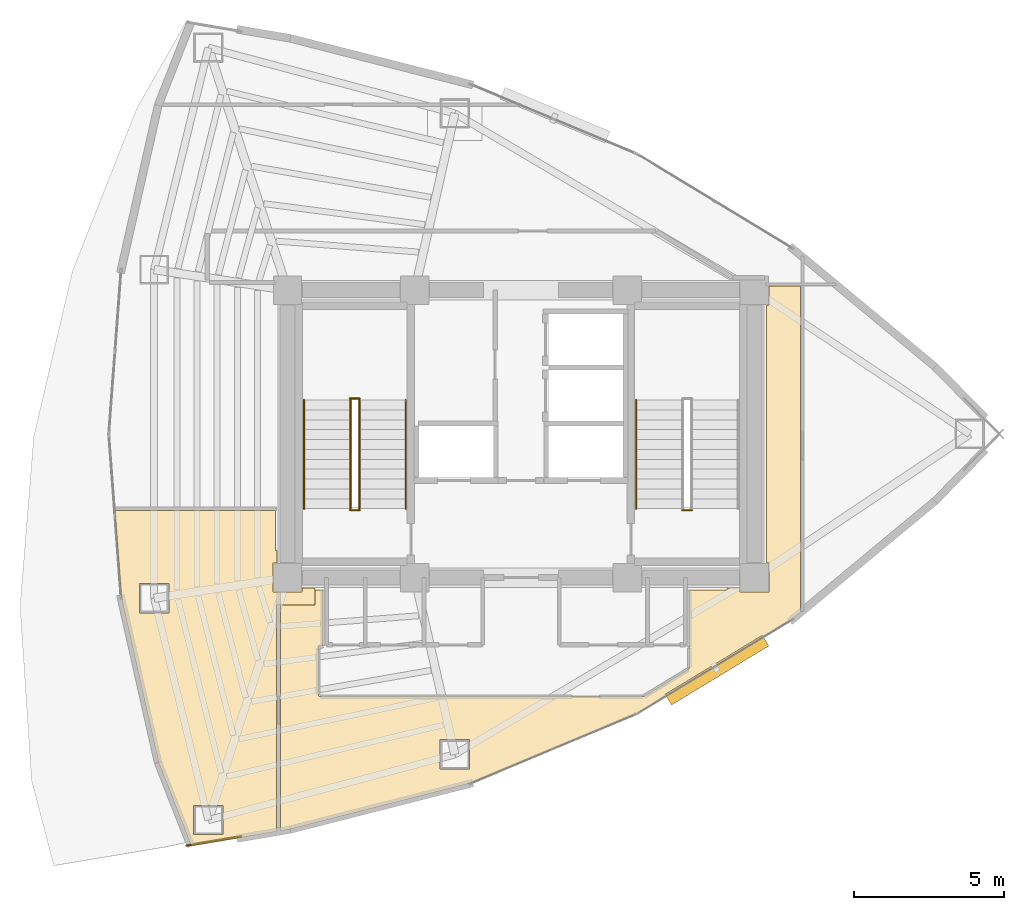
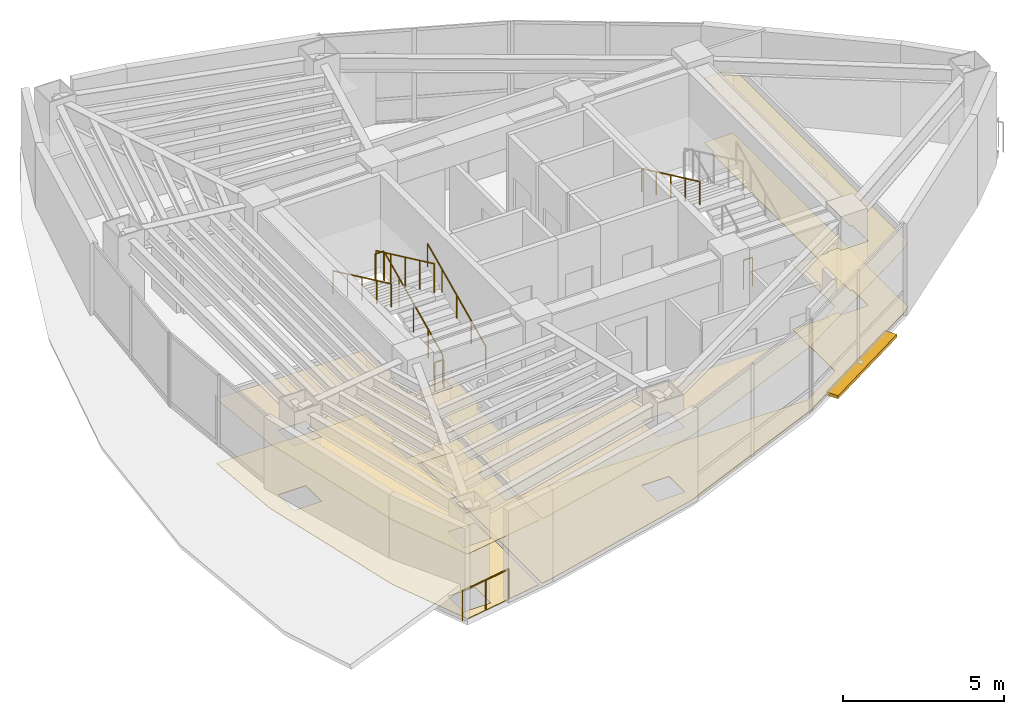
# One storey, part 14 of 15: 9 railings, 4 coverings, 1 shading device.
"""IFC4 building model written with IfcOpenShell, lengths in metres."""

from ifc_helpers import new_model, si_unit, direction, frame, origin, origin_2d, place, context, subcontext, project, spatial, polyline, rectangle, circle, outline, extrude, material, layer, layer_set, type_object, element, save


model = new_model("IFC4")

# Units and contexts
model_context = context("Model", 3, precision=1e-05, world=origin(), true_north=direction((0.0, 1.0)))
body_context = subcontext(model_context, "Body", "Model", "MODEL_VIEW")
ifc_project = project(units=[si_unit("LENGTHUNIT", "METRE"), si_unit("AREAUNIT", "SQUARE_METRE"), si_unit("VOLUMEUNIT", "CUBIC_METRE"), si_unit("PLANEANGLEUNIT", "RADIAN"), si_unit("MASSUNIT", "GRAM", prefix="KILO")], contexts=[model_context])

# Site, building, storey
site_placement = place(None, origin())
site = spatial("IfcSite", under=ifc_project, at=site_placement, CompositionType="ELEMENT")
building_placement = place(site_placement, origin())
building = spatial("IfcBuilding", under=site, at=building_placement, Name="Menara Vayukalpa", CompositionType="ELEMENT")
storey_placement = place(building_placement, frame((0.0, 0.0, 184.080078125)))
storey = spatial("IfcBuildingStorey", under=building, at=storey_placement, Name="L46", CompositionType="ELEMENT", Elevation=184.080078125)

# Coverings
ifc_material_1 = material(Name="Mineral Fibre Acoustic Ceiling Tile", Category="masonry")
ifc_layer_1 = layer(ifc_material_1, 0.02490234375)
ifc_layer_set_1 = layer_set([ifc_layer_1], Name="Mineral Fibre Acoustic Ceiling Tile")
covering_type_1 = type_object("IfcCoveringType", Name="COV-CLG1", PredefinedType="CEILING", material=ifc_layer_set_1)
covering_1_placement = place(storey_placement, frame((0.0, 0.0, 2.449951171875)))
element("IfcCovering", 1, at=covering_1_placement, inside=storey, type_object=covering_type_1, Name="L46 Staff Dining and Pantry Acoustic Ceiling", PredefinedType="CEILING", context=body_context, shape_type="SweptSolid", body=[
    extrude(outline(polyline([(14.59130859375, 8.2314453125), (14.59033203125, 8.2314453125), (14.58935546875, 8.231689453125), (14.58837890625, 8.232177734375), (14.587646484375, 8.232666015625), (14.5869140625, 8.233154296875), (14.5859375, 8.233642578125), (14.585205078125, 8.234375), (14.584716796875, 8.235107421875), (14.583984375, 8.23583984375), (14.58349609375, 8.23681640625), (14.583251953125, 8.237548828125), (13.489013671875, 11.023681640625), (13.48876953125, 11.0244140625), (13.488525390625, 11.025146484375), (12.25390625, 16.51171875), (12.25390625, 16.51318359375), (12.03515625, 19.42919921875), (12.03515625, 19.43017578125), (12.03515625, 19.43115234375), (12.035400390625, 19.43212890625), (12.03564453125, 19.43310546875), (12.035888671875, 19.43408203125), (12.036376953125, 19.434814453125), (12.036865234375, 19.435791015625), (12.037353515625, 19.436279296875), (12.0380859375, 19.43701171875), (12.038818359375, 19.437744140625), (12.03955078125, 19.4384765625), (12.040283203125, 19.43896484375), (12.041259765625, 19.439208984375), (12.042236328125, 19.439697265625), (12.043212890625, 19.439697265625), (12.044189453125, 19.43994140625), (12.045166015625, 19.43994140625), (17.3798828125, 19.43994140625), (17.381103515625, 19.43994140625), (17.382080078125, 19.439697265625), (17.3828125, 19.439697265625), (17.3837890625, 19.439208984375), (17.384765625, 19.438720703125), (17.385498046875, 19.438232421875), (17.38623046875, 19.437744140625), (17.38720703125, 19.43701171875), (17.3876953125, 19.436279296875), (17.38818359375, 19.435546875), (17.388916015625, 19.434814453125), (17.38916015625, 19.433837890625), (17.3896484375, 19.432861328125), (17.389892578125, 19.431884765625), (17.389892578125, 19.430908203125), (17.389892578125, 19.429931640625), (17.389892578125, 18.110107421875), (17.449951171875, 18.110107421875), (17.449951171875, 17.68994140625), (17.31005859375, 17.68994140625), (17.31005859375, 16.7099609375), (18.2900390625, 16.7099609375), (18.2900390625, 16.85009765625), (18.7099609375, 16.85009765625), (18.7099609375, 16.2900390625), (17.43994140625, 16.2900390625), (17.43994140625, 8.722900390625), (17.43994140625, 8.721923828125), (17.439697265625, 8.720947265625), (17.439697265625, 8.719970703125), (17.439208984375, 8.718994140625), (17.438720703125, 8.71826171875), (17.438232421875, 8.71728515625), (17.4375, 8.716552734375), (17.43701171875, 8.7158203125), (17.436279296875, 8.715087890625), (17.435302734375, 8.714599609375), (17.4345703125, 8.714111328125), (17.43359375, 8.713623046875), (17.4326171875, 8.71337890625), (17.431640625, 8.713134765625), (14.59423828125, 8.2314453125), (14.59326171875, 8.231201171875), (14.59228515625, 8.231201171875), (14.59130859375, 8.2314453125)]), holes=[polyline([(14.664794921875, 9.58740234375), (14.664794921875, 8.607421875), (15.644775390625, 8.607421875), (15.644775390625, 9.58740234375), (14.664794921875, 9.58740234375)]), polyline([(13.833984375, 17.000732421875), (12.85400390625, 17.000732421875), (12.85400390625, 16.020751953125), (13.833984375, 16.020751953125), (13.833984375, 17.000732421875)])]), origin(), (0.0, 0.0, 1.0), 0.02490234375),
])
covering_2_placement = place(storey_placement, frame((0.0, 0.0, 2.449951171875)))
element("IfcCovering", 2, at=covering_2_placement, inside=storey, type_object=covering_type_1, Name="L46 Staff Dining and Pantry Acoustic Ceiling", PredefinedType="CEILING", context=body_context, shape_type="SweptSolid", body=[
    extrude(outline(polyline([(33.81005859375, 26.31005859375), (33.889892578125, 26.31005859375), (33.889892578125, 26.93994140625), (34.929931640625, 26.93994140625), (34.930908203125, 26.93994140625), (34.931884765625, 26.939697265625), (34.932861328125, 26.939697265625), (34.933837890625, 26.939208984375), (34.934814453125, 26.938720703125), (34.935546875, 26.938232421875), (34.936279296875, 26.937744140625), (34.93701171875, 26.93701171875), (34.937744140625, 26.936279296875), (34.938232421875, 26.935546875), (34.938720703125, 26.934814453125), (34.939208984375, 26.933837890625), (34.939697265625, 26.932861328125), (34.939697265625, 26.931884765625), (34.93994140625, 26.930908203125), (34.93994140625, 26.929931640625), (34.93994140625, 16.063720703125), (34.940185546875, 16.0576171875), (34.941162109375, 16.052001953125), (34.94189453125, 16.048828125), (34.942138671875, 16.0478515625), (34.942138671875, 16.046875), (34.942138671875, 16.0458984375), (34.942138671875, 16.044921875), (34.94189453125, 16.043701171875), (34.94140625, 16.042724609375), (34.941162109375, 16.0419921875), (34.940673828125, 16.041015625), (34.93994140625, 16.040283203125), (34.939208984375, 16.039306640625), (34.938720703125, 16.038818359375), (34.662109375, 15.809326171875), (34.660888671875, 15.80859375), (29.47998046875, 12.661376953125), (29.479248046875, 12.660888671875), (29.478515625, 12.66064453125), (23.885986328125, 10.3212890625), (23.884765625, 10.32080078125), (17.8798828125, 8.789306640625), (17.879150390625, 8.7890625), (17.57177734375, 8.73681640625), (17.57080078125, 8.73681640625), (17.569580078125, 8.73681640625), (17.56884765625, 8.73681640625), (17.56787109375, 8.737060546875), (17.56689453125, 8.7373046875), (17.56591796875, 8.737548828125), (17.565185546875, 8.738037109375), (17.564208984375, 8.738525390625), (17.5634765625, 8.7392578125), (17.562744140625, 8.73974609375), (17.562255859375, 8.740478515625), (17.5615234375, 8.7412109375), (17.56103515625, 8.7421875), (17.560791015625, 8.742919921875), (17.560302734375, 8.743896484375), (17.560302734375, 8.744873046875), (17.56005859375, 8.745849609375), (17.56005859375, 8.746826171875), (17.56005859375, 16.2900390625), (16.889892578125, 16.2900390625), (16.889892578125, 18.110107421875), (17.449951171875, 18.110107421875), (17.449951171875, 17.68994140625), (17.31005859375, 17.68994140625), (17.31005859375, 16.7099609375), (18.2900390625, 16.7099609375), (18.2900390625, 16.85009765625), (18.7099609375, 16.85009765625), (18.7099609375, 16.7900390625), (18.97998046875, 16.7900390625), (18.98095703125, 16.7900390625), (18.98193359375, 16.789794921875), (18.98291015625, 16.78955078125), (18.98388671875, 16.789306640625), (18.984619140625, 16.788818359375), (18.985595703125, 16.788330078125), (18.986328125, 16.78759765625), (18.987060546875, 16.787109375), (18.98779296875, 16.786376953125), (18.98828125, 16.78564453125), (18.98876953125, 16.78466796875), (18.9892578125, 16.78369140625), (18.989501953125, 16.782958984375), (18.98974609375, 16.781982421875), (18.989990234375, 16.781005859375), (18.989990234375, 16.780029296875), (18.989990234375, 14.929931640625), (18.989990234375, 14.928955078125), (18.98974609375, 14.927978515625), (18.989501953125, 14.927001953125), (18.9892578125, 14.92626953125), (18.98876953125, 14.92529296875), (18.98828125, 14.92431640625), (18.98779296875, 14.923583984375), (18.987060546875, 14.9228515625), (18.986328125, 14.92236328125), (18.985595703125, 14.921630859375), (18.984619140625, 14.921142578125), (18.98388671875, 14.9208984375), (18.98291015625, 14.92041015625), (18.98193359375, 14.920166015625), (18.98095703125, 14.919921875), (18.97998046875, 14.919921875), (18.900390625, 14.919921875), (18.893310546875, 14.919677734375), (18.88623046875, 14.918701171875), (18.879638671875, 14.9169921875), (18.873291015625, 14.914794921875), (18.866943359375, 14.911865234375), (18.861083984375, 14.908203125), (18.85546875, 14.904052734375), (18.8505859375, 14.8994140625), (18.845947265625, 14.89453125), (18.841796875, 14.888916015625), (18.838134765625, 14.883056640625), (18.835205078125, 14.876708984375), (18.8330078125, 14.870361328125), (18.831298828125, 14.86376953125), (18.830322265625, 14.856689453125), (18.830078125, 14.849609375), (18.830078125, 13.290283203125), (18.830322265625, 13.283203125), (18.831298828125, 13.2763671875), (18.8330078125, 13.269775390625), (18.835205078125, 13.26318359375), (18.838134765625, 13.257080078125), (18.841796875, 13.251220703125), (18.845947265625, 13.24560546875), (18.8505859375, 13.240478515625), (18.85546875, 13.236083984375), (18.861083984375, 13.231689453125), (18.866943359375, 13.228271484375), (18.873291015625, 13.225341796875), (18.879638671875, 13.222900390625), (18.88623046875, 13.22119140625), (18.893310546875, 13.220458984375), (18.900390625, 13.219970703125), (29.667236328125, 13.219970703125), (29.673828125, 13.22021484375), (29.68017578125, 13.22119140625), (29.686279296875, 13.22265625), (29.6923828125, 13.224609375), (29.6982421875, 13.22705078125), (29.7041015625, 13.230224609375), (31.18603515625, 14.130615234375), (31.1923828125, 14.134765625), (31.19775390625, 14.139404296875), (31.20263671875, 14.14453125), (31.20703125, 14.150146484375), (31.2109375, 14.15625), (31.214111328125, 14.16259765625), (31.216552734375, 14.16943359375), (31.218505859375, 14.176513671875), (31.219482421875, 14.183349609375), (31.219970703125, 14.19091796875), (31.219970703125, 14.849609375), (31.219482421875, 14.856689453125), (31.21875, 14.86376953125), (31.217041015625, 14.870361328125), (31.214599609375, 14.876708984375), (31.2119140625, 14.8828125), (31.211669921875, 14.883056640625), (31.211181640625, 14.8837890625), (31.210693359375, 14.884765625), (31.21044921875, 14.8857421875), (31.210205078125, 14.88671875), (31.2099609375, 14.8876953125), (31.2099609375, 14.888671875), (31.2099609375, 16.780029296875), (31.2099609375, 16.781005859375), (31.210205078125, 16.781982421875), (31.21044921875, 16.782958984375), (31.210693359375, 16.78369140625), (31.211181640625, 16.78466796875), (31.211669921875, 16.78564453125), (31.21240234375, 16.786376953125), (31.212890625, 16.787109375), (31.213623046875, 16.78759765625), (31.21435546875, 16.788330078125), (31.21533203125, 16.788818359375), (31.21630859375, 16.789306640625), (31.217041015625, 16.78955078125), (31.218017578125, 16.789794921875), (31.218994140625, 16.7900390625), (31.219970703125, 16.7900390625), (32.489990234375, 16.7900390625), (32.489990234375, 16.85009765625), (32.909912109375, 16.85009765625), (32.909912109375, 16.7099609375), (33.889892578125, 16.7099609375), (33.889892578125, 17.68994140625), (33.81005859375, 17.68994140625), (33.81005859375, 26.31005859375)]), holes=[polyline([(23.87939453125, 11.781494140625), (22.8994140625, 11.781494140625), (22.8994140625, 10.801513671875), (23.87939453125, 10.801513671875), (23.87939453125, 11.781494140625)])]), origin(), (0.0, 0.0, 1.0), 0.02490234375),
])
ifc_material_2 = material(Name="Porcelain Stoneware Floor Tile", Category="masonry")
ifc_layer_2 = layer(ifc_material_2, 0.02001953125)
ifc_layer_set_2 = layer_set([ifc_layer_2], Name="Porcelain Stoneware Floor Tile")
covering_type_2 = type_object("IfcCoveringType", Name="COV-FLR1", PredefinedType="FLOORING", material=ifc_layer_set_2)
covering_3_placement = place(storey_placement, origin())
element("IfcCovering", 3, at=covering_3_placement, inside=storey, type_object=covering_type_2, Name="L46 Staff Dining and Pantry Porcelain Flooring", PredefinedType="FLOORING", context=body_context, shape_type="SweptSolid", body=[
    extrude(outline(polyline([(14.59130859375, 8.2314453125), (14.59033203125, 8.2314453125), (14.58935546875, 8.231689453125), (14.58837890625, 8.232177734375), (14.587646484375, 8.232666015625), (14.5869140625, 8.233154296875), (14.5859375, 8.233642578125), (14.585205078125, 8.234375), (14.584716796875, 8.235107421875), (14.583984375, 8.23583984375), (14.58349609375, 8.23681640625), (14.583251953125, 8.237548828125), (13.489013671875, 11.023681640625), (13.48876953125, 11.0244140625), (13.488525390625, 11.025146484375), (12.25390625, 16.51171875), (12.25390625, 16.51318359375), (12.03515625, 19.42919921875), (12.03515625, 19.43017578125), (12.03515625, 19.43115234375), (12.035400390625, 19.43212890625), (12.03564453125, 19.43310546875), (12.035888671875, 19.43408203125), (12.036376953125, 19.434814453125), (12.036865234375, 19.435791015625), (12.037353515625, 19.436279296875), (12.0380859375, 19.43701171875), (12.038818359375, 19.437744140625), (12.03955078125, 19.4384765625), (12.040283203125, 19.43896484375), (12.041259765625, 19.439208984375), (12.042236328125, 19.439697265625), (12.043212890625, 19.439697265625), (12.044189453125, 19.43994140625), (12.045166015625, 19.43994140625), (17.3798828125, 19.43994140625), (17.381103515625, 19.43994140625), (17.382080078125, 19.439697265625), (17.3828125, 19.439697265625), (17.3837890625, 19.439208984375), (17.384765625, 19.438720703125), (17.385498046875, 19.438232421875), (17.38623046875, 19.437744140625), (17.38720703125, 19.43701171875), (17.3876953125, 19.436279296875), (17.38818359375, 19.435546875), (17.388916015625, 19.434814453125), (17.38916015625, 19.433837890625), (17.3896484375, 19.432861328125), (17.389892578125, 19.431884765625), (17.389892578125, 19.430908203125), (17.389892578125, 19.429931640625), (17.389892578125, 18.110107421875), (17.449951171875, 18.110107421875), (17.449951171875, 17.68994140625), (17.31005859375, 17.68994140625), (17.31005859375, 16.7099609375), (18.2900390625, 16.7099609375), (18.2900390625, 16.85009765625), (18.7099609375, 16.85009765625), (18.7099609375, 16.2900390625), (17.43994140625, 16.2900390625), (17.43994140625, 8.722900390625), (17.43994140625, 8.721923828125), (17.439697265625, 8.720947265625), (17.439697265625, 8.719970703125), (17.439208984375, 8.718994140625), (17.438720703125, 8.71826171875), (17.438232421875, 8.71728515625), (17.4375, 8.716552734375), (17.43701171875, 8.7158203125), (17.436279296875, 8.715087890625), (17.435302734375, 8.714599609375), (17.4345703125, 8.714111328125), (17.43359375, 8.713623046875), (17.4326171875, 8.71337890625), (17.431640625, 8.713134765625), (14.59423828125, 8.2314453125), (14.59326171875, 8.231201171875), (14.59228515625, 8.231201171875), (14.59130859375, 8.2314453125)]), holes=[polyline([(14.664794921875, 9.58740234375), (14.664794921875, 8.607421875), (15.644775390625, 8.607421875), (15.644775390625, 9.58740234375), (14.664794921875, 9.58740234375)]), polyline([(13.833984375, 17.000732421875), (12.85400390625, 17.000732421875), (12.85400390625, 16.020751953125), (13.833984375, 16.020751953125), (13.833984375, 17.000732421875)])]), origin(), (0.0, 0.0, 1.0), 0.02001953125),
])
covering_4_placement = place(storey_placement, origin())
element("IfcCovering", 4, at=covering_4_placement, inside=storey, type_object=covering_type_2, Name="L46 Staff Dining and Pantry Porcelain Flooring", PredefinedType="FLOORING", context=body_context, shape_type="SweptSolid", body=[
    extrude(outline(polyline([(33.81005859375, 26.31005859375), (33.889892578125, 26.31005859375), (33.889892578125, 26.93994140625), (34.929931640625, 26.93994140625), (34.930908203125, 26.93994140625), (34.931884765625, 26.939697265625), (34.932861328125, 26.939697265625), (34.933837890625, 26.939208984375), (34.934814453125, 26.938720703125), (34.935546875, 26.938232421875), (34.936279296875, 26.937744140625), (34.93701171875, 26.93701171875), (34.937744140625, 26.936279296875), (34.938232421875, 26.935546875), (34.938720703125, 26.934814453125), (34.939208984375, 26.933837890625), (34.939697265625, 26.932861328125), (34.939697265625, 26.931884765625), (34.93994140625, 26.930908203125), (34.93994140625, 26.929931640625), (34.93994140625, 16.063720703125), (34.940185546875, 16.0576171875), (34.941162109375, 16.052001953125), (34.94189453125, 16.048828125), (34.942138671875, 16.0478515625), (34.942138671875, 16.046875), (34.942138671875, 16.0458984375), (34.942138671875, 16.044921875), (34.94189453125, 16.043701171875), (34.94140625, 16.042724609375), (34.941162109375, 16.0419921875), (34.940673828125, 16.041015625), (34.93994140625, 16.040283203125), (34.939208984375, 16.039306640625), (34.938720703125, 16.038818359375), (34.662109375, 15.809326171875), (34.660888671875, 15.80859375), (29.47998046875, 12.661376953125), (29.479248046875, 12.660888671875), (29.478515625, 12.66064453125), (23.885986328125, 10.3212890625), (23.884765625, 10.32080078125), (17.8798828125, 8.789306640625), (17.879150390625, 8.7890625), (17.57177734375, 8.73681640625), (17.57080078125, 8.73681640625), (17.569580078125, 8.73681640625), (17.56884765625, 8.73681640625), (17.56787109375, 8.737060546875), (17.56689453125, 8.7373046875), (17.56591796875, 8.737548828125), (17.565185546875, 8.738037109375), (17.564208984375, 8.738525390625), (17.5634765625, 8.7392578125), (17.562744140625, 8.73974609375), (17.562255859375, 8.740478515625), (17.5615234375, 8.7412109375), (17.56103515625, 8.7421875), (17.560791015625, 8.742919921875), (17.560302734375, 8.743896484375), (17.560302734375, 8.744873046875), (17.56005859375, 8.745849609375), (17.56005859375, 8.746826171875), (17.56005859375, 16.2900390625), (16.889892578125, 16.2900390625), (16.889892578125, 18.110107421875), (17.449951171875, 18.110107421875), (17.449951171875, 17.68994140625), (17.31005859375, 17.68994140625), (17.31005859375, 16.7099609375), (18.2900390625, 16.7099609375), (18.2900390625, 16.85009765625), (18.7099609375, 16.85009765625), (18.7099609375, 16.7900390625), (18.97998046875, 16.7900390625), (18.98095703125, 16.7900390625), (18.98193359375, 16.789794921875), (18.98291015625, 16.78955078125), (18.98388671875, 16.789306640625), (18.984619140625, 16.788818359375), (18.985595703125, 16.788330078125), (18.986328125, 16.78759765625), (18.987060546875, 16.787109375), (18.98779296875, 16.786376953125), (18.98828125, 16.78564453125), (18.98876953125, 16.78466796875), (18.9892578125, 16.78369140625), (18.989501953125, 16.782958984375), (18.98974609375, 16.781982421875), (18.989990234375, 16.781005859375), (18.989990234375, 16.780029296875), (18.989990234375, 14.929931640625), (18.989990234375, 14.928955078125), (18.98974609375, 14.927978515625), (18.989501953125, 14.927001953125), (18.9892578125, 14.92626953125), (18.98876953125, 14.92529296875), (18.98828125, 14.92431640625), (18.98779296875, 14.923583984375), (18.987060546875, 14.9228515625), (18.986328125, 14.92236328125), (18.985595703125, 14.921630859375), (18.984619140625, 14.921142578125), (18.98388671875, 14.9208984375), (18.98291015625, 14.92041015625), (18.98193359375, 14.920166015625), (18.98095703125, 14.919921875), (18.97998046875, 14.919921875), (18.900390625, 14.919921875), (18.893310546875, 14.919677734375), (18.88623046875, 14.918701171875), (18.879638671875, 14.9169921875), (18.873291015625, 14.914794921875), (18.866943359375, 14.911865234375), (18.861083984375, 14.908203125), (18.85546875, 14.904052734375), (18.8505859375, 14.8994140625), (18.845947265625, 14.89453125), (18.841796875, 14.888916015625), (18.838134765625, 14.883056640625), (18.835205078125, 14.876708984375), (18.8330078125, 14.870361328125), (18.831298828125, 14.86376953125), (18.830322265625, 14.856689453125), (18.830078125, 14.849609375), (18.830078125, 13.290283203125), (18.830322265625, 13.283203125), (18.831298828125, 13.2763671875), (18.8330078125, 13.269775390625), (18.835205078125, 13.26318359375), (18.838134765625, 13.257080078125), (18.841796875, 13.251220703125), (18.845947265625, 13.24560546875), (18.8505859375, 13.240478515625), (18.85546875, 13.236083984375), (18.861083984375, 13.231689453125), (18.866943359375, 13.228271484375), (18.873291015625, 13.225341796875), (18.879638671875, 13.222900390625), (18.88623046875, 13.22119140625), (18.893310546875, 13.220458984375), (18.900390625, 13.219970703125), (29.667236328125, 13.219970703125), (29.673828125, 13.22021484375), (29.68017578125, 13.22119140625), (29.686279296875, 13.22265625), (29.6923828125, 13.224609375), (29.6982421875, 13.22705078125), (29.7041015625, 13.230224609375), (31.18603515625, 14.130615234375), (31.1923828125, 14.134765625), (31.19775390625, 14.139404296875), (31.20263671875, 14.14453125), (31.20703125, 14.150146484375), (31.2109375, 14.15625), (31.214111328125, 14.16259765625), (31.216552734375, 14.16943359375), (31.218505859375, 14.176513671875), (31.219482421875, 14.183349609375), (31.219970703125, 14.19091796875), (31.219970703125, 14.849609375), (31.219482421875, 14.856689453125), (31.21875, 14.86376953125), (31.217041015625, 14.870361328125), (31.214599609375, 14.876708984375), (31.2119140625, 14.8828125), (31.211669921875, 14.883056640625), (31.211181640625, 14.8837890625), (31.210693359375, 14.884765625), (31.21044921875, 14.8857421875), (31.210205078125, 14.88671875), (31.2099609375, 14.8876953125), (31.2099609375, 14.888671875), (31.2099609375, 16.780029296875), (31.2099609375, 16.781005859375), (31.210205078125, 16.781982421875), (31.21044921875, 16.782958984375), (31.210693359375, 16.78369140625), (31.211181640625, 16.78466796875), (31.211669921875, 16.78564453125), (31.21240234375, 16.786376953125), (31.212890625, 16.787109375), (31.213623046875, 16.78759765625), (31.21435546875, 16.788330078125), (31.21533203125, 16.788818359375), (31.21630859375, 16.789306640625), (31.217041015625, 16.78955078125), (31.218017578125, 16.789794921875), (31.218994140625, 16.7900390625), (31.219970703125, 16.7900390625), (32.489990234375, 16.7900390625), (32.489990234375, 16.85009765625), (32.909912109375, 16.85009765625), (32.909912109375, 16.7099609375), (33.889892578125, 16.7099609375), (33.889892578125, 17.68994140625), (33.81005859375, 17.68994140625), (33.81005859375, 26.31005859375)]), holes=[polyline([(23.87939453125, 11.781494140625), (22.8994140625, 11.781494140625), (22.8994140625, 10.801513671875), (23.87939453125, 10.801513671875), (23.87939453125, 11.781494140625)])]), origin(), (0.0, 0.0, 1.0), 0.02001953125),
])

# Railings
ifc_material_3 = material(Name="Laminated Glass and Stainless Steel 316 Guardrail", Category="steel")
railing_type_1 = type_object("IfcRailingType", Name="RLG-EXT115", PredefinedType="GUARDRAIL", material=ifc_material_3)
railing_1_placement = place(storey_placement, frame((14.413818359375, 8.241455078125, 0.0)))
element("IfcRailing", 5, at=railing_1_placement, inside=storey, type_object=railing_type_1, Name="L46 Column Corner Spandrel Guardrail 14-1", PredefinedType="GUARDRAIL", context=body_context, shape_type="SweptSolid", body=[
    extrude(circle(Radius=0.02392578125, at=origin_2d()), frame((0.0, 0.0, 1.1259765625), z_axis=(0.985895107684, 0.167364382844, 0.0), x_axis=(-0.167364382844, 0.985895107684, 0.0)), (0.0, 0.0, 1.0), 1.86865234375),
    extrude(circle(Radius=0.02099609375, at=origin_2d()), origin(), (0.0, 0.0, 1.0), 1.101806640625),
    extrude(circle(Radius=0.02099609375, at=origin_2d()), frame((0.921142578125, 0.15625, 0.0)), (0.0, 0.0, 1.0), 1.101806640625),
    extrude(circle(Radius=0.02099609375, at=origin_2d()), frame((1.84228515625, 0.312744140625, 0.0)), (0.0, 0.0, 1.0), 1.101806640625),
])
ifc_material_4 = material(Name="Powder-Coated Galvanised Steel Guardrail", Category="steel")
railing_type_2 = type_object("IfcRailingType", Name="RLG-STG110", PredefinedType="GUARDRAIL", material=ifc_material_4)
railing_2_placement = place(storey_placement, frame((20.199951171875, 19.5, 0.155029296875)))
element("IfcRailing", 6, at=railing_2_placement, inside=storey, type_object=railing_type_2, Name="L46 ST-1 stair guard 1", PredefinedType="GUARDRAIL", context=body_context, shape_type="SweptSolid", body=[
    extrude(circle(Radius=0.02392578125, at=origin_2d()), frame((0.0, 0.0, 1.09619140625), z_axis=(0.0, 0.90513990983, 0.425113800803), x_axis=(-1.0, 0.0, 0.0)), (0.0, 0.0, 1.0), 4.01025390625),
    extrude(circle(Radius=0.02099609375, at=origin_2d()), origin(), (0.0, 0.0, 1.0), 1.072021484375),
    extrude(circle(Radius=0.02099609375, at=origin_2d()), frame((0.0, 0.907470703125, 0.42626953125)), (0.0, 0.0, 1.0), 1.072021484375),
    extrude(circle(Radius=0.02099609375, at=origin_2d()), frame((0.0, 1.81494140625, 0.8525390625)), (0.0, 0.0, 1.0), 1.072021484375),
    extrude(circle(Radius=0.02099609375, at=origin_2d()), frame((0.0, 2.722412109375, 1.278564453125)), (0.0, 0.0, 1.0), 1.072021484375),
    extrude(circle(Radius=0.02099609375, at=origin_2d()), frame((0.0, 3.6298828125, 1.704833984375)), (0.0, 0.0, 1.0), 1.072021484375),
])
railing_3_placement = place(storey_placement, frame((20.2099609375, 23.179931640625, 1.85986328125)))
element("IfcRailing", 7, at=railing_3_placement, inside=storey, type_object=railing_type_2, Name="L46 ST-1 stair guard 2", PredefinedType="GUARDRAIL", context=body_context, shape_type="SweptSolid", body=[
    extrude(circle(Radius=0.02392578125, at=origin_2d()), frame((0.0, 0.0, 1.09619140625), z_axis=(-1.0, 0.0, 0.0), x_axis=(0.0, -1.0, 0.0)), (0.0, 0.0, 1.0), 0.320068359375),
    extrude(circle(Radius=0.02099609375, at=origin_2d()), origin(), (0.0, 0.0, 1.0), 1.072021484375),
    extrude(circle(Radius=0.02099609375, at=origin_2d()), frame((-0.320068359375, 0.0, 0.0)), (0.0, 0.0, 1.0), 1.072021484375),
])
railing_4_placement = place(storey_placement, frame((19.89990234375, 23.1298828125, 2.014892578125)))
element("IfcRailing", 8, at=railing_4_placement, inside=storey, type_object=railing_type_2, Name="L46 ST-1 stair guard 3", PredefinedType="GUARDRAIL", context=body_context, shape_type="SweptSolid", body=[
    extrude(circle(Radius=0.02392578125, at=origin_2d()), frame((0.0, 0.0, 1.09619140625), z_axis=(0.0, -0.90511648382, 0.425163675209), x_axis=(1.0, 0.0, 0.0)), (0.0, 0.0, 1.0), 4.010498046875),
    extrude(circle(Radius=0.02099609375, at=origin_2d()), origin(), (0.0, 0.0, 1.0), 1.072021484375),
    extrude(circle(Radius=0.02099609375, at=origin_2d()), frame((0.0, -0.907470703125, 0.42626953125)), (0.0, 0.0, 1.0), 1.072021484375),
    extrude(circle(Radius=0.02099609375, at=origin_2d()), frame((0.0, -1.81494140625, 0.8525390625)), (0.0, 0.0, 1.0), 1.072021484375),
    extrude(circle(Radius=0.02099609375, at=origin_2d()), frame((0.0, -2.722412109375, 1.27880859375)), (0.0, 0.0, 1.0), 1.072021484375),
    extrude(circle(Radius=0.02099609375, at=origin_2d()), frame((0.0, -3.6298828125, 1.705078125)), (0.0, 0.0, 1.0), 1.072021484375),
])
for number, where, name in (
    (9, (20.2099609375, 19.449951171875, 0.0), "L46 ST-1 stair guard 4"),
    (10, (31.31005859375, 19.449951171875, 0.0), "L46 ST-2 stair guard 4"),
):
    element("IfcRailing", number, at=place(storey_placement, frame(where)), inside=storey, type_object=railing_type_2, Name=name, PredefinedType="GUARDRAIL", context=body_context, shape_type="SweptSolid", body=[
        extrude(circle(Radius=0.02392578125, at=origin_2d()), frame((0.0, 0.0, 1.09619140625), z_axis=(-1.0, 0.0, 0.0), x_axis=(0.0, -1.0, 0.0)), (0.0, 0.0, 1.0), 0.320068359375),
        extrude(circle(Radius=0.02099609375, at=origin_2d()), origin(), (0.0, 0.0, 1.0), 1.072021484375),
        extrude(circle(Radius=0.02099609375, at=origin_2d()), frame((-0.320068359375, 0.0, 0.0)), (0.0, 0.0, 1.0), 1.072021484375),
    ])
ifc_material_5 = material(Name="Stainless Steel 316 Tubular Handrail", Category="steel")
railing_type_3 = type_object("IfcRailingType", Name="RLG-STH090", PredefinedType="HANDRAIL", material=ifc_material_5)
railing_5_placement = place(storey_placement, frame((21.75, 19.5, 0.155029296875)))
element("IfcRailing", 11, at=railing_5_placement, inside=storey, type_object=railing_type_3, Name="L46 ST-1 stair handrail 1", PredefinedType="HANDRAIL", context=body_context, shape_type="SweptSolid", body=[
    extrude(circle(Radius=0.02392578125, at=origin_2d()), frame((0.0, 0.0, 0.8759765625), z_axis=(0.0, 0.90513990983, 0.425113800803), x_axis=(-1.0, 0.0, 0.0)), (0.0, 0.0, 1.0), 4.01025390625),
    extrude(circle(Radius=0.02099609375, at=origin_2d()), origin(), (0.0, 0.0, 1.0), 0.851806640625),
    extrude(circle(Radius=0.02099609375, at=origin_2d()), frame((0.0, 0.907470703125, 0.42626953125)), (0.0, 0.0, 1.0), 0.851806640625),
    extrude(circle(Radius=0.02099609375, at=origin_2d()), frame((0.0, 1.81494140625, 0.8525390625)), (0.0, 0.0, 1.0), 0.851806640625),
    extrude(circle(Radius=0.02099609375, at=origin_2d()), frame((0.0, 2.722412109375, 1.278564453125)), (0.0, 0.0, 1.0), 0.851806640625),
    extrude(circle(Radius=0.02099609375, at=origin_2d()), frame((0.0, 3.6298828125, 1.704833984375)), (0.0, 0.0, 1.0), 0.851806640625),
])
for number, where, name in (
    (12, (18.35009765625, 23.1298828125, 2.014892578125), "L46 ST-1 stair handrail 2"),
    (13, (29.449951171875, 23.1298828125, 2.014892578125), "L46 ST-2 stair handrail 2"),
):
    element("IfcRailing", number, at=place(storey_placement, frame(where)), inside=storey, type_object=railing_type_3, Name=name, PredefinedType="HANDRAIL", context=body_context, shape_type="SweptSolid", body=[
        extrude(circle(Radius=0.02392578125, at=origin_2d()), frame((0.0, 0.0, 0.8759765625), z_axis=(0.0, -0.90511648382, 0.425163675209), x_axis=(1.0, 0.0, 0.0)), (0.0, 0.0, 1.0), 4.010498046875),
        extrude(circle(Radius=0.02099609375, at=origin_2d()), origin(), (0.0, 0.0, 1.0), 0.851806640625),
        extrude(circle(Radius=0.02099609375, at=origin_2d()), frame((0.0, -0.907470703125, 0.42626953125)), (0.0, 0.0, 1.0), 0.851806640625),
        extrude(circle(Radius=0.02099609375, at=origin_2d()), frame((0.0, -1.81494140625, 0.8525390625)), (0.0, 0.0, 1.0), 0.851806640625),
        extrude(circle(Radius=0.02099609375, at=origin_2d()), frame((0.0, -2.722412109375, 1.27880859375)), (0.0, 0.0, 1.0), 0.851806640625),
        extrude(circle(Radius=0.02099609375, at=origin_2d()), frame((0.0, -3.6298828125, 1.705078125)), (0.0, 0.0, 1.0), 0.851806640625),
    ])

# Shading device
ifc_material_6 = material(Name="Glazed Terracotta Ceramic Baguette Extrusion", Category="masonry")
ifc_layer_3 = layer(ifc_material_6, 0.1201171875)
ifc_layer_set_3 = layer_set([ifc_layer_3], Name="Glazed Terracotta Ceramic Baguette Extrusion")
shading_device_type = type_object("IfcShadingDeviceType", Name="SHD-SS1", PredefinedType="USERDEFINED", material=ifc_layer_set_3)
shading_device_placement = place(storey_placement, frame((32.148193359375, 14.106689453125, -0.10009765625), z_axis=(0.0, 0.0, 1.0), x_axis=(0.85466730962, 0.519176068272, 0.0)))
element("IfcShadingDevice", 14, at=shading_device_placement, inside=storey, type_object=shading_device_type, Name="L46 Horizontal Terracotta Sunshade Band 17", ObjectType="SUNSHADE", PredefinedType="USERDEFINED", context=body_context, shape_type="SweptSolid", body=[
    extrude(rectangle(XDim=3.800048828125, YDim=0.419921875, at=origin_2d()), origin(), (0.0, 0.0, 1.0), 0.1201171875),
])

save(model, "model.ifc")
